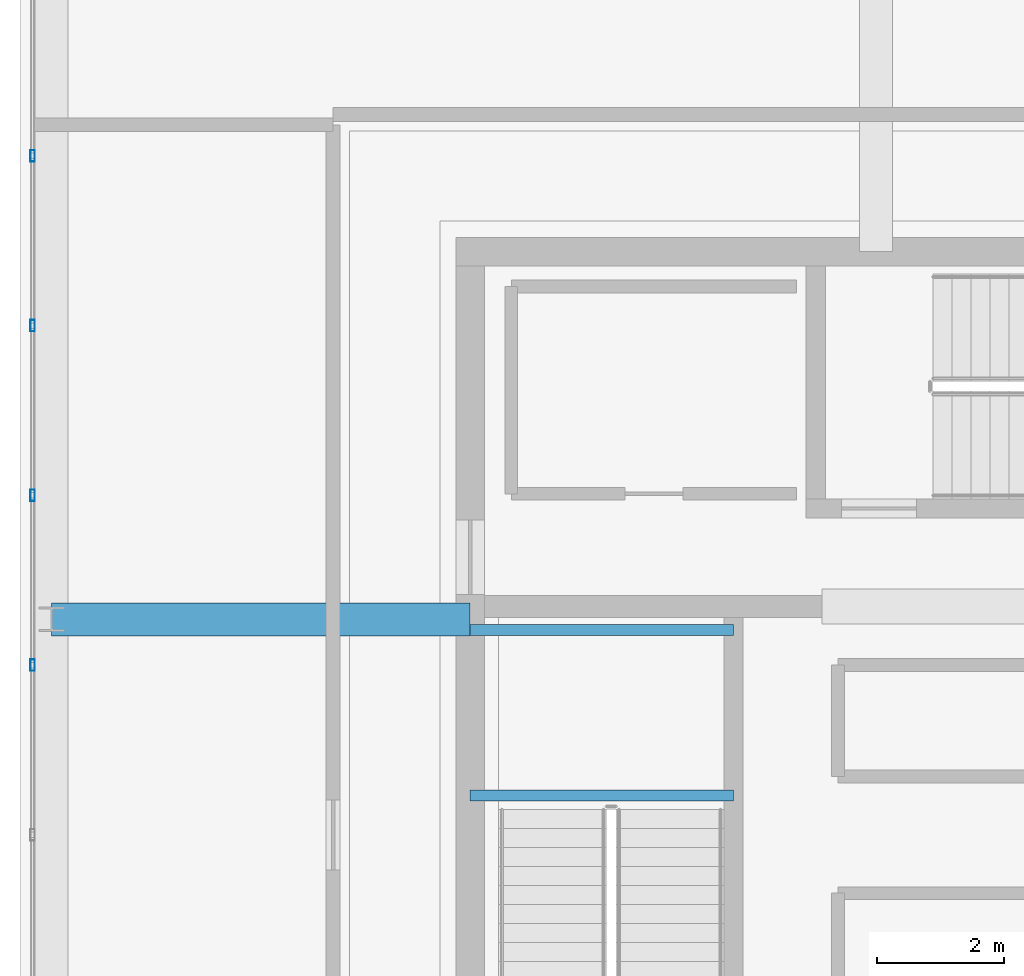
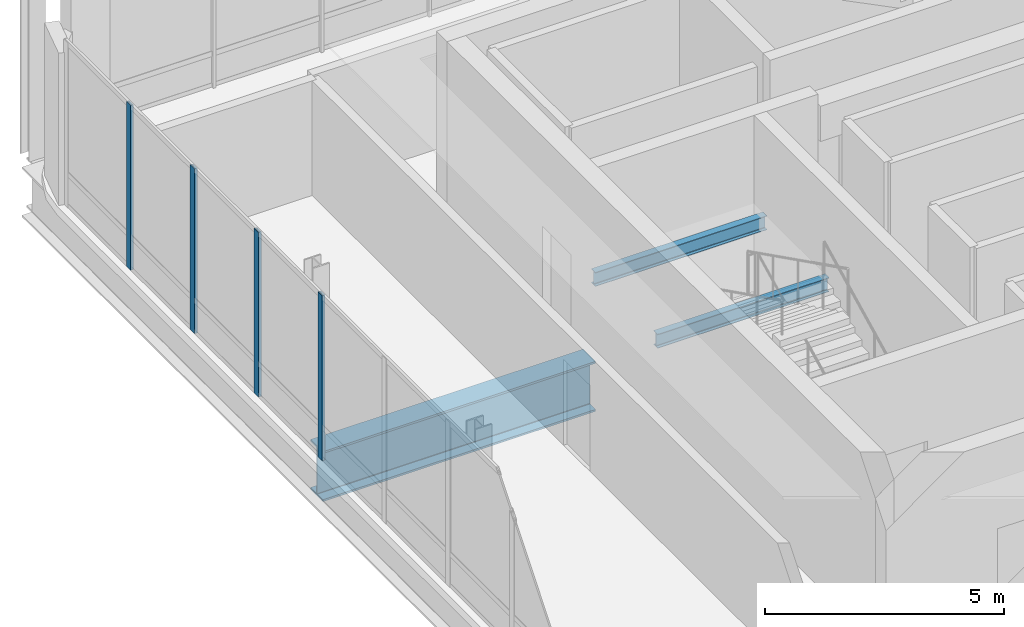
# One storey, part 9 of 25: 4 members, 3 beams, 1 element without a shape of its own.
"""IFC4 building model written with IfcOpenShell, lengths in metres."""

from ifc_helpers import new_model, si_unit, direction, frame, origin, origin_2d, place, context, subcontext, project, spatial, hollow_rectangle, i_section, extrude, material, material_profile, profile_set, type_object, element, aggregate, save


model = new_model("IFC4")

# Units and contexts
model_context = context("Model", 3, precision=1e-05, world=origin(), true_north=direction((0.0, 1.0)))
body_context = subcontext(model_context, "Body", "Model", "MODEL_VIEW")
ifc_project = project(units=[si_unit("LENGTHUNIT", "METRE"), si_unit("AREAUNIT", "SQUARE_METRE"), si_unit("VOLUMEUNIT", "CUBIC_METRE"), si_unit("PLANEANGLEUNIT", "RADIAN"), si_unit("MASSUNIT", "GRAM", prefix="KILO")], contexts=[model_context])

# Site, building, storey
site_placement = place(None, origin())
site = spatial("IfcSite", under=ifc_project, at=site_placement, CompositionType="ELEMENT")
building_placement = place(site_placement, origin())
building = spatial("IfcBuilding", under=site, at=building_placement, Name="Punatoya Terracotta Tower", CompositionType="ELEMENT")
storey_placement = place(building_placement, frame((0.0, 0.0, 357.300048828125)))
storey = spatial("IfcBuildingStorey", under=building, at=storey_placement, Name="L84", CompositionType="ELEMENT", Elevation=357.300048828125)

# Beams
ifc_material_1 = material(Name="Steel S355", Category="steel")
ifc_material_profile_1 = material_profile(ifc_material_1, i_section(OverallWidth=0.169921875, OverallDepth=0.360107421875, WebThickness=0.008056640625, FlangeThickness=0.0126953125, FilletRadius=0.01806640625, at=origin_2d()))
ifc_profile_set_1 = profile_set([ifc_material_profile_1], Name="Steel S355")
beam_type_1 = type_object("IfcBeamType", Name="BM-SEC-360", PredefinedType="JOIST", material=ifc_profile_set_1)
for number, where, z_axis, x_axis, name in (
    (1, (-10.199951171875, 0.6201171875, 1.869873046875), (1.0, 0.0, 0.0), (0.0, 1.0, 0.0), "BM-L84-ST-1-LD1A"),
    (2, (-10.199951171875, 3.22998046875, 1.869873046875), (1.0, 0.0, 0.0), (0.0, 1.0, 0.0), "BM-L84-ST-1-LD1B"),
):
    element("IfcBeam", number, at=place(storey_placement, frame(where, z_axis=z_axis, x_axis=x_axis)), inside=storey, type_object=beam_type_1, Name=name, PredefinedType="JOIST", context=body_context, shape_type="SweptSolid", body=[
        extrude(i_section(OverallWidth=0.169921875, OverallDepth=0.360107421875, WebThickness=0.008056640625, FlangeThickness=0.0126953125, FilletRadius=0.01806640625, at=origin_2d()), origin(), (0.0, 0.0, 1.0), 4.14990234375),
    ])
ifc_material_2 = material(Name="Steel S460", Category="steel")
ifc_material_profile_2 = material_profile(ifc_material_2, i_section(OverallWidth=0.52001953125, OverallDepth=1.280029296875, WebThickness=0.031982421875, FlangeThickness=0.050048828125, FilletRadius=0.01806640625, at=origin_2d()))
ifc_profile_set_2 = profile_set([ifc_material_profile_2], Name="Steel S460")
beam_type_2 = type_object("IfcBeamType", Name="BM-TG-NCK", PredefinedType="BEAM", material=ifc_profile_set_2)
beam_placement = place(storey_placement, frame((-16.800048828125, 3.39990234375, -0.860107421875), z_axis=(1.0, 0.0, 0.0), x_axis=(0.0, 1.0, 0.0)))
element("IfcBeam", 3, at=beam_placement, inside=storey, type_object=beam_type_2, Name="BM-L84-CW2", PredefinedType="BEAM", context=body_context, shape_type="SweptSolid", body=[
    extrude(i_section(OverallWidth=0.52001953125, OverallDepth=1.280029296875, WebThickness=0.031982421875, FlangeThickness=0.050048828125, FilletRadius=0.01806640625, at=origin_2d()), origin(), (0.0, 0.0, 1.0), 6.60009765625),
])

# Curtain wall, members
ifc_material_3 = material(Name="Aluminium 6063-T6 + Double Low-E Glass", Category="aluminium")
curtain_wall_type = type_object("IfcCurtainWallType", Name="CW-CRN", PredefinedType="NOTDEFINED", material=ifc_material_3)
curtain_wall_placement = place(storey_placement, origin())
curtain_wall = element("IfcCurtainWall", 4, at=curtain_wall_placement, inside=storey, type_object=curtain_wall_type, Name="L84 Curtain Wall CW-L84-W13-1", PredefinedType="NOTDEFINED")
ifc_material_4 = material(Name="Aluminium 6063-T6", Category="aluminium")
ifc_material_profile_3 = material_profile(ifc_material_4, hollow_rectangle(XDim=0.070068359375, YDim=0.179931640625, WallThickness=0.00390625, at=origin_2d()))
ifc_profile_set_3 = profile_set([ifc_material_profile_3], Name="Aluminium 6063-T6")
member_type = type_object("IfcMemberType", Name="CW-MUL-M3", PredefinedType="MULLION", material=ifc_profile_set_3)
member_1_placement = place(storey_placement, frame((-17.10009765625, 10.70947265625, 0.0), z_axis=(0.0, 0.0, 1.0), x_axis=(1.0, 0.0, 0.0)))
member_1 = element("IfcMember", 5, at=member_1_placement, type_object=member_type, Name="CW-L84-W13-1 Mullion 01", PredefinedType="MULLION", context=body_context, shape_type="SweptSolid", body=[
    extrude(hollow_rectangle(XDim=0.070068359375, YDim=0.179931640625, WallThickness=0.00390625, at=origin_2d()), origin(), (0.0, 0.0, 1.0), 4.219970703125),
])
member_2_placement = place(storey_placement, frame((-17.10009765625, 8.031982421875, 0.0), z_axis=(0.0, 0.0, 1.0), x_axis=(1.0, 0.0, 0.0)))
member_2 = element("IfcMember", 6, at=member_2_placement, type_object=member_type, Name="CW-L84-W13-1 Mullion 02", PredefinedType="MULLION", context=body_context, shape_type="SweptSolid", body=[
    extrude(hollow_rectangle(XDim=0.070068359375, YDim=0.179931640625, WallThickness=0.00390625, at=origin_2d()), origin(), (0.0, 0.0, 1.0), 4.219970703125),
])
member_3_placement = place(storey_placement, frame((-17.10009765625, 5.354736328125, 0.0), z_axis=(0.0, 0.0, 1.0), x_axis=(1.0, 0.0, 0.0)))
member_3 = element("IfcMember", 7, at=member_3_placement, type_object=member_type, Name="CW-L84-W13-1 Mullion 03", PredefinedType="MULLION", context=body_context, shape_type="SweptSolid", body=[
    extrude(hollow_rectangle(XDim=0.070068359375, YDim=0.179931640625, WallThickness=0.00390625, at=origin_2d()), origin(), (0.0, 0.0, 1.0), 4.219970703125),
])
member_4_placement = place(storey_placement, frame((-17.10009765625, 2.677490234375, 0.0), z_axis=(0.0, 0.0, 1.0), x_axis=(1.0, 0.0, 0.0)))
member_4 = element("IfcMember", 8, at=member_4_placement, type_object=member_type, Name="CW-L84-W13-1 Mullion 04", PredefinedType="MULLION", context=body_context, shape_type="SweptSolid", body=[
    extrude(hollow_rectangle(XDim=0.070068359375, YDim=0.179931640625, WallThickness=0.00390625, at=origin_2d()), origin(), (0.0, 0.0, 1.0), 4.219970703125),
])
aggregate(curtain_wall, [member_1, member_2, member_3, member_4])

save(model, "model.ifc")
